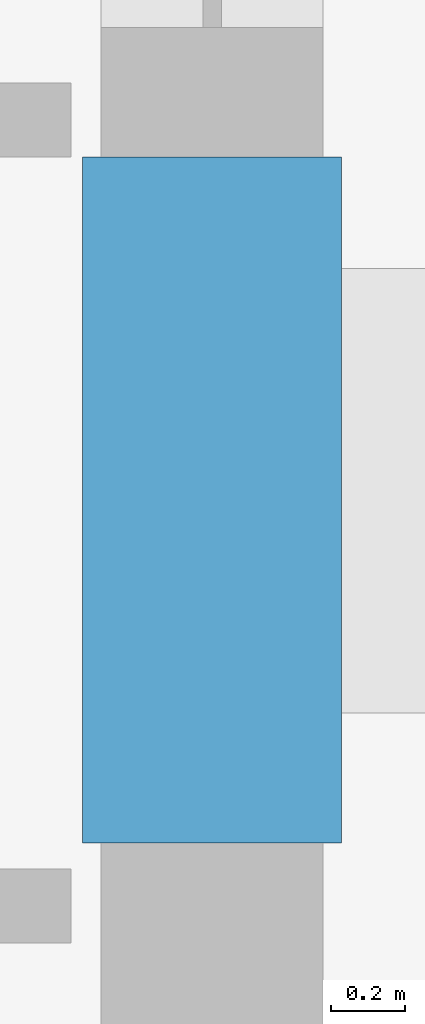
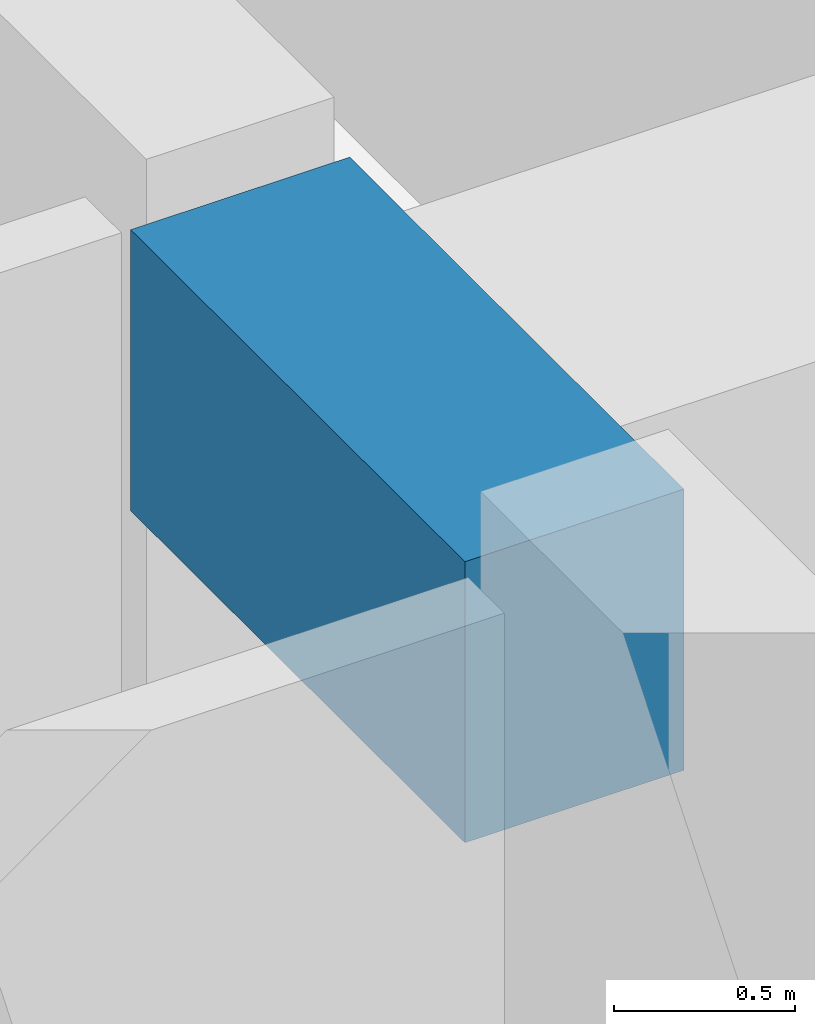
# One storey, part 12 of 39: 1 beam.
"""IFC4 building model written with IfcOpenShell, lengths in metres."""

from ifc_helpers import new_model, si_unit, direction, frame, origin, origin_2d, place, context, subcontext, project, spatial, rectangle, extrude, material, material_profile, profile_set, type_object, element, save


model = new_model("IFC4")

# Units and contexts
model_context = context("Model", 3, precision=1e-05, world=origin(), true_north=direction((0.0, 1.0)))
body_context = subcontext(model_context, "Body", "Model", "MODEL_VIEW")
ifc_project = project(units=[si_unit("LENGTHUNIT", "METRE"), si_unit("AREAUNIT", "SQUARE_METRE"), si_unit("VOLUMEUNIT", "CUBIC_METRE"), si_unit("PLANEANGLEUNIT", "RADIAN"), si_unit("MASSUNIT", "GRAM", prefix="KILO")], contexts=[model_context])

# Site, building, storey
site_placement = place(None, origin())
site = spatial("IfcSite", under=ifc_project, at=site_placement, CompositionType="ELEMENT")
building_placement = place(site_placement, origin())
building = spatial("IfcBuilding", under=site, at=building_placement, Name="Kolvaren Belvedere", CompositionType="ELEMENT")
storey_placement = place(building_placement, frame((0.0, 0.0, 85.39990234375)))
storey = spatial("IfcBuildingStorey", under=building, at=storey_placement, Name="L24", CompositionType="ELEMENT", Elevation=85.39990234375)

# Beam
ifc_material = material(Name="Concrete C60/75", Category="concrete")
ifc_material_profile = material_profile(ifc_material, rectangle(XDim=0.699951171875, YDim=0.949951171875, at=origin_2d()), Name="RC 700X950")
ifc_profile_set = profile_set([ifc_material_profile], Name="Concrete C60/75")
beam_type = type_object("IfcBeamType", Name="BM-LINT-950", PredefinedType="LINTEL", material=ifc_profile_set)
beam_placement = place(storey_placement, frame((9.89990234375, -5.550048828125, 2.60498046875), z_axis=(0.0, 1.0, 0.0), x_axis=(-1.0, 0.0, 0.0)))
element("IfcBeam", 1, at=beam_placement, inside=storey, type_object=beam_type, Name="L24 East Core Coupling Lintel", PredefinedType="LINTEL", context=body_context, shape_type="SweptSolid", body=[
    extrude(rectangle(XDim=0.699951171875, YDim=0.949951171875, at=origin_2d()), origin(), (0.0, 0.0, 1.0), 1.85009765625),
])

save(model, "model.ifc")
